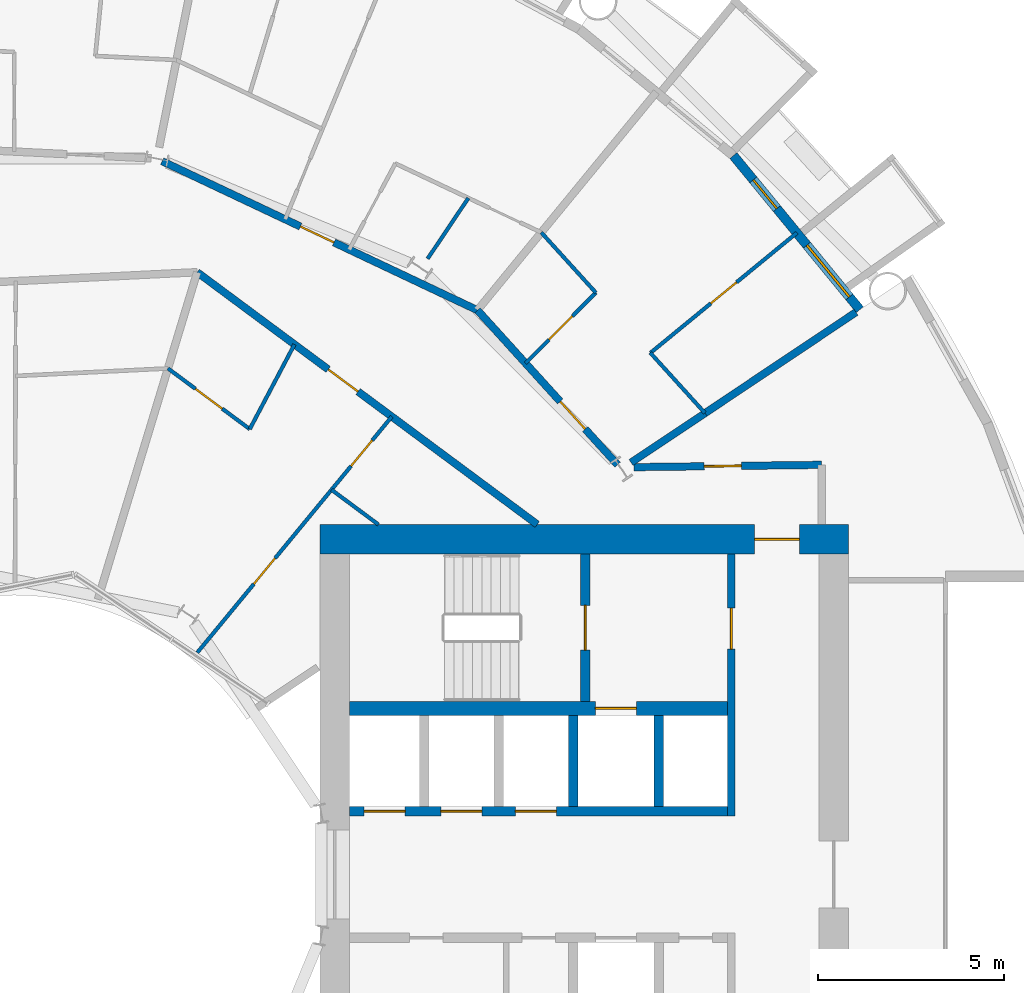
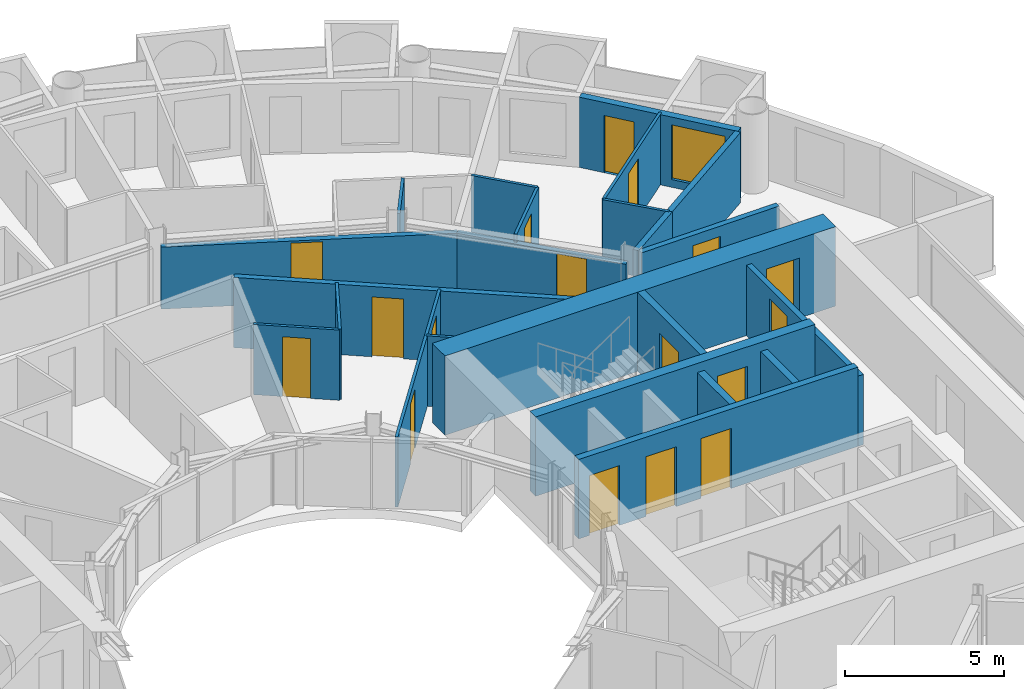
# One storey, part 21 of 26: 23 walls, 17 doors, 1 window, 18 openings.
"""IFC4 building model written with IfcOpenShell, lengths in metres."""

from ifc_helpers import new_model, si_unit, direction, frame, frame_2d, origin, place, context, subcontext, project, spatial, rectangle, extrude, material, layer, layer_set, type_object, element, fill, save


model = new_model("IFC4")

# Units and contexts
model_context = context("Model", 3, precision=1e-05, world=origin(), true_north=direction((0.0, 1.0)))
body_context = subcontext(model_context, "Body", "Model", "MODEL_VIEW")
ifc_project = project(units=[si_unit("LENGTHUNIT", "METRE"), si_unit("AREAUNIT", "SQUARE_METRE"), si_unit("VOLUMEUNIT", "CUBIC_METRE"), si_unit("PLANEANGLEUNIT", "RADIAN"), si_unit("MASSUNIT", "GRAM", prefix="KILO")], contexts=[model_context])

# Site, building, storey
site_placement = place(None, origin())
site = spatial("IfcSite", under=ifc_project, at=site_placement, CompositionType="ELEMENT")
building_placement = place(site_placement, origin())
building = spatial("IfcBuilding", under=site, at=building_placement, Name="Maasbend Ring Residences", CompositionType="ELEMENT")
storey_placement = place(building_placement, frame((0.0, 0.0, 44.14990234375)))
storey = spatial("IfcBuildingStorey", under=building, at=storey_placement, Name="L12", CompositionType="ELEMENT", Elevation=44.14990234375)

# Wall, openings, doors
ifc_material_1 = material(Name="Concrete C70/85", Category="concrete")
ifc_layer_1 = layer(ifc_material_1, 0.25)
ifc_layer_set_1 = layer_set([ifc_layer_1], Name="Concrete C70/85")
wall_type_1 = type_object("IfcWallType", Name="CORE WALL 250 C70/85", PredefinedType="SHEAR", material=ifc_layer_set_1)
wall_1_placement = place(storey_placement, frame((9.0, 1.699951171875, 0.0), z_axis=(0.0, 0.0, 1.0), x_axis=(1.0, 0.0, 0.0)))
wall_1 = element("IfcWall", 1, at=wall_1_placement, inside=storey, type_object=wall_type_1, Name="L12 core E wall SPN", PredefinedType="SHEAR", context=body_context, shape_type="SweptSolid", body=[
    extrude(rectangle(XDim=10.14990234375, YDim=0.25, at=frame_2d((5.074951171875, 0.0))), origin(), (0.0, 0.0, 1.0), 3.050048828125),
])
opening_1_placement = place(wall_1_placement, frame((0.387451171875, 0.0, 0.0)))
opening_1 = element("IfcOpeningElement", 2, at=opening_1_placement, cuts=wall_1, Name="Opening LD-E1201", PredefinedType="OPENING", context=body_context, shape_type="SweptSolid", body=[
    extrude(rectangle(XDim=1.10009765625, YDim=2.300048828125, at=frame_2d((0.550048828125, 1.14990234375))), frame((0.0, 0.135009765625, 0.0), z_axis=(0.0, -1.0, 0.0), x_axis=(1.0, 0.0, 0.0)), (0.0, 0.0, 1.0), 0.27001953125),
])
opening_2_placement = place(wall_1_placement, frame((2.449951171875, 0.0, 0.0)))
opening_2 = element("IfcOpeningElement", 3, at=opening_2_placement, cuts=wall_1, Name="Opening LD-E1202", PredefinedType="OPENING", context=body_context, shape_type="SweptSolid", body=[
    extrude(rectangle(XDim=1.10009765625, YDim=2.300048828125, at=frame_2d((0.550048828125, 1.14990234375))), frame((0.0, 0.135009765625, 0.0), z_axis=(0.0, -1.0, 0.0), x_axis=(1.0, 0.0, 0.0)), (0.0, 0.0, 1.0), 0.27001953125),
])
opening_3_placement = place(wall_1_placement, frame((4.449951171875, 0.0, 0.0)))
opening_3 = element("IfcOpeningElement", 4, at=opening_3_placement, cuts=wall_1, Name="Opening LD-E1203", PredefinedType="OPENING", context=body_context, shape_type="SweptSolid", body=[
    extrude(rectangle(XDim=1.10009765625, YDim=2.300048828125, at=frame_2d((0.550048828125, 1.14990234375))), frame((0.0, 0.135009765625, 0.0), z_axis=(0.0, -1.0, 0.0), x_axis=(1.0, 0.0, 0.0)), (0.0, 0.0, 1.0), 0.27001953125),
])
ifc_material_2 = material(Name="Stainless steel 316", Category="steel")
door_type_1 = type_object("IfcDoorType", Name="LANDING DOOR 1100 X 2300 FD60", OperationType="DOUBLE_DOOR_SLIDING", PredefinedType="DOOR", material=ifc_material_2)
door_1_placement = place(opening_1_placement, origin())
door_1 = element("IfcDoor", 5, at=door_1_placement, inside=storey, type_object=door_type_1, Name="Landing door LR-E1 L12", OperationType="DOUBLE_DOOR_SLIDING", OverallHeight=2.300048828125, OverallWidth=1.10009765625, PredefinedType="DOOR", context=body_context, shape_type="SweptSolid", body=[
    extrude(rectangle(XDim=1.10009765625, YDim=2.300048828125, at=frame_2d((0.550048828125, 1.14990234375))), frame((0.0, 0.02490234375, 0.0), z_axis=(0.0, -1.0, 0.0), x_axis=(1.0, 0.0, 0.0)), (0.0, 0.0, 1.0), 0.050048828125),
])
fill(opening_1, door_1)
door_2_placement = place(opening_2_placement, origin())
door_2 = element("IfcDoor", 6, at=door_2_placement, inside=storey, type_object=door_type_1, Name="Landing door LR-E2 L12", OperationType="DOUBLE_DOOR_SLIDING", OverallHeight=2.300048828125, OverallWidth=1.10009765625, PredefinedType="DOOR", context=body_context, shape_type="SweptSolid", body=[
    extrude(rectangle(XDim=1.10009765625, YDim=2.300048828125, at=frame_2d((0.550048828125, 1.14990234375))), frame((0.0, 0.02490234375, 0.0), z_axis=(0.0, -1.0, 0.0), x_axis=(1.0, 0.0, 0.0)), (0.0, 0.0, 1.0), 0.050048828125),
])
fill(opening_2, door_2)
door_3_placement = place(opening_3_placement, origin())
door_3 = element("IfcDoor", 7, at=door_3_placement, inside=storey, type_object=door_type_1, Name="Landing door LR-E3 L12", OperationType="DOUBLE_DOOR_SLIDING", OverallHeight=2.300048828125, OverallWidth=1.10009765625, PredefinedType="DOOR", context=body_context, shape_type="SweptSolid", body=[
    extrude(rectangle(XDim=1.10009765625, YDim=2.300048828125, at=frame_2d((0.550048828125, 1.14990234375))), frame((0.0, 0.02490234375, 0.0), z_axis=(0.0, -1.0, 0.0), x_axis=(1.0, 0.0, 0.0)), (0.0, 0.0, 1.0), 0.050048828125),
])
fill(opening_3, door_3)

# Wall, opening, door
wall_2_placement = place(storey_placement, frame((15.324951171875, 4.64990234375, 0.0), z_axis=(0.0, 0.0, 1.0), x_axis=(0.0, 1.0, 0.0)))
wall_2 = element("IfcWall", 8, at=wall_2_placement, inside=storey, type_object=wall_type_1, Name="L12 core E wall STEN", PredefinedType="SHEAR", context=body_context, shape_type="SweptSolid", body=[
    extrude(rectangle(XDim=3.9501953125, YDim=0.25, at=frame_2d((1.97509765625, 0.0))), origin(), (0.0, 0.0, 1.0), 3.050048828125),
])
opening_4_placement = place(wall_2_placement, frame((1.375, 0.0, 0.0)))
opening_4 = element("IfcOpeningElement", 9, at=opening_4_placement, cuts=wall_2, Name="Opening D-E1210", PredefinedType="OPENING", context=body_context, shape_type="SweptSolid", body=[
    extrude(rectangle(XDim=1.199951171875, YDim=2.300048828125, at=frame_2d((0.60009765625, 1.14990234375))), frame((0.0, 0.135009765625, 0.0), z_axis=(0.0, -1.0, 0.0), x_axis=(1.0, 0.0, 0.0)), (0.0, 0.0, 1.0), 0.27001953125),
])
ifc_material_3 = material(Name="Steel, powder coated", Category="steel")
door_type_2 = type_object("IfcDoorType", Name="STAIR DOOR 1200 X 2300 FD60", OperationType="NOTDEFINED", PredefinedType="DOOR", material=ifc_material_3)
door_4_placement = place(opening_4_placement, origin())
door_4 = element("IfcDoor", 10, at=door_4_placement, inside=storey, type_object=door_type_2, Name="Stair door ST-E L12", OperationType="SINGLE_SWING_LEFT", OverallHeight=2.300048828125, OverallWidth=1.199951171875, PredefinedType="DOOR", context=body_context, shape_type="SweptSolid", body=[
    extrude(rectangle(XDim=1.199951171875, YDim=2.300048828125, at=frame_2d((0.60009765625, 1.14990234375))), frame((0.0, 0.02490234375, 0.0), z_axis=(0.0, -1.0, 0.0), x_axis=(1.0, 0.0, 0.0)), (0.0, 0.0, 1.0), 0.050048828125),
])
fill(opening_4, door_4)

ifc_material_4 = material(Name="Concrete C70/85", Category="concrete")
ifc_layer_2 = layer(ifc_material_4, 0.375)
ifc_layer_set_2 = layer_set([ifc_layer_2], Name="Concrete C70/85")
wall_type_2 = type_object("IfcWallType", Name="CORE WALL 375 C70/85", PredefinedType="SHEAR", material=ifc_layer_set_2)
wall_3_placement = place(storey_placement, frame((9.0, 4.46240234375, 0.0), z_axis=(0.0, 0.0, 1.0), x_axis=(1.0, 0.0, 0.0)))
wall_3 = element("IfcWall", 11, at=wall_3_placement, inside=storey, type_object=wall_type_2, Name="L12 core E wall BN", PredefinedType="SHEAR", context=body_context, shape_type="SweptSolid", body=[
    extrude(rectangle(XDim=10.14990234375, YDim=0.375, at=frame_2d((5.074951171875, 0.0))), origin(), (0.0, 0.0, 1.0), 3.050048828125),
])
opening_5_placement = place(wall_3_placement, frame((6.60009765625, 0.0, 0.0)))
opening_5 = element("IfcOpeningElement", 12, at=opening_5_placement, cuts=wall_3, Name="Opening LD-E1204", PredefinedType="OPENING", context=body_context, shape_type="SweptSolid", body=[
    extrude(rectangle(XDim=1.10009765625, YDim=2.300048828125, at=frame_2d((0.550048828125, 1.14990234375))), frame((0.0, 0.197509765625, 0.0), z_axis=(0.0, -1.0, 0.0), x_axis=(1.0, 0.0, 0.0)), (0.0, 0.0, 1.0), 0.39501953125),
])
door_5_placement = place(opening_5_placement, origin())
door_5 = element("IfcDoor", 13, at=door_5_placement, inside=storey, type_object=door_type_1, Name="Landing door FF-E L12", OperationType="DOUBLE_DOOR_SLIDING", OverallHeight=2.300048828125, OverallWidth=1.10009765625, PredefinedType="DOOR", context=body_context, shape_type="SweptSolid", body=[
    extrude(rectangle(XDim=1.10009765625, YDim=2.300048828125, at=frame_2d((0.550048828125, 1.14990234375))), frame((0.0, 0.02490234375, 0.0), z_axis=(0.0, -1.0, 0.0), x_axis=(1.0, 0.0, 0.0)), (0.0, 0.0, 1.0), 0.050048828125),
])
fill(opening_5, door_5)

ifc_material_5 = material(Name="Concrete C70/85", Category="concrete")
ifc_layer_3 = layer(ifc_material_5, 0.800048828125)
ifc_layer_set_3 = layer_set([ifc_layer_3], Name="Concrete C70/85")
wall_type_3 = type_object("IfcWallType", Name="CORE WALL 800 C70/85", PredefinedType="SHEAR", material=ifc_layer_set_3)
wall_4_placement = place(storey_placement, frame((22.39990234375, 9.0, 0.0), z_axis=(0.0, 0.0, 1.0), x_axis=(-1.0, 0.0, 0.0)))
wall_4 = element("IfcWall", 14, at=wall_4_placement, inside=storey, type_object=wall_type_3, Name="L12 core E wall PN", PredefinedType="SHEAR", context=body_context, shape_type="SweptSolid", body=[
    extrude(rectangle(XDim=14.199951171875, YDim=0.800048828125, at=frame_2d((7.10009765625, 0.0))), origin(), (0.0, 0.0, 1.0), 3.050048828125),
])
opening_6_placement = place(wall_4_placement, frame((1.324951171875, 0.0, 0.0)))
opening_6 = element("IfcOpeningElement", 15, at=opening_6_placement, cuts=wall_4, Name="Opening D-E1214", PredefinedType="OPENING", context=body_context, shape_type="SweptSolid", body=[
    extrude(rectangle(XDim=1.199951171875, YDim=2.300048828125, at=frame_2d((0.60009765625, 1.14990234375))), frame((0.0, 0.41015625, 0.0), z_axis=(0.0, -1.0, 0.0), x_axis=(1.0, 0.0, 0.0)), (0.0, 0.0, 1.0), 0.820068359375),
])
ifc_material_6 = material(Name="Steel, powder coated", Category="steel")
door_type_3 = type_object("IfcDoorType", Name="CORRIDOR DOOR 1200 X 2300 FD30S", OperationType="NOTDEFINED", PredefinedType="DOOR", material=ifc_material_6)
door_6_placement = place(opening_6_placement, origin())
door_6 = element("IfcDoor", 16, at=door_6_placement, inside=storey, type_object=door_type_3, Name="Corridor door L12", OperationType="SINGLE_SWING_RIGHT", OverallHeight=2.300048828125, OverallWidth=1.199951171875, PredefinedType="DOOR", context=body_context, shape_type="SweptSolid", body=[
    extrude(rectangle(XDim=1.199951171875, YDim=2.300048828125, at=frame_2d((0.60009765625, 1.14990234375))), frame((0.0, 0.02490234375, 0.0), z_axis=(0.0, -1.0, 0.0), x_axis=(1.0, 0.0, 0.0)), (0.0, 0.0, 1.0), 0.050048828125),
])
fill(opening_6, door_6)

ifc_material_7 = material(Name="Concrete C30/37", Category="concrete")
ifc_layer_4 = layer(ifc_material_7, 0.199951171875)
ifc_layer_set_4 = layer_set([ifc_layer_4], Name="Concrete C30/37")
wall_type_4 = type_object("IfcWallType", Name="CORRIDOR WALL 200 CONCRETE", PredefinedType="PARTITIONING", material=ifc_layer_set_4)
wall_5_placement = place(storey_placement, frame((16.636962890625, 10.93798828125, 0.0), z_axis=(0.0, 0.0, 1.0), x_axis=(0.99992425795, 0.012307654658, 0.0)))
wall_5 = element("IfcWall", 17, at=wall_5_placement, inside=storey, type_object=wall_type_4, Name="U-L12-w096", PredefinedType="PARTITIONING", context=body_context, shape_type="SweptSolid", body=[
    extrude(rectangle(XDim=5.03857421875, YDim=0.199951171875, at=frame_2d((2.519287109375, 0.0))), origin(), (0.0, 0.0, 1.0), 2.7001953125),
])
opening_7_placement = place(wall_5_placement, frame((1.884033203125, 0.0, 0.0)))
opening_7 = element("IfcOpeningElement", 18, at=opening_7_placement, cuts=wall_5, Name="Opening D-1272", PredefinedType="OPENING", context=body_context, shape_type="SweptSolid", body=[
    extrude(rectangle(XDim=1.0, YDim=2.300048828125, at=frame_2d((0.5, 1.14990234375))), frame((0.0, 0.10986328125, 0.0), z_axis=(0.0, -1.0, 0.0), x_axis=(1.0, 0.0, 0.0)), (0.0, 0.0, 1.0), 0.219970703125),
])
ifc_material_8 = material(Name="Timber, painted", Category="wood")
door_type_4 = type_object("IfcDoorType", Name="ROOM DOOR 1000 X 2300", OperationType="NOTDEFINED", PredefinedType="DOOR", material=ifc_material_8)
door_7_placement = place(opening_7_placement, origin())
door_7 = element("IfcDoor", 19, at=door_7_placement, inside=storey, type_object=door_type_4, Name="D-1272", OperationType="SINGLE_SWING_LEFT", OverallHeight=2.300048828125, OverallWidth=1.0, PredefinedType="DOOR", context=body_context, shape_type="SweptSolid", body=[
    extrude(rectangle(XDim=1.0, YDim=2.300048828125, at=frame_2d((0.5, 1.14990234375))), frame((0.0, 0.02490234375, 0.0), z_axis=(0.0, -1.0, 0.0), x_axis=(1.0, 0.0, 0.0)), (0.0, 0.0, 1.0), 0.050048828125),
])
fill(opening_7, door_7)

wall_6_placement = place(storey_placement, frame((4.906005859375, 16.172119140625, 0.0), z_axis=(0.0, 0.0, 1.0), x_axis=(0.803202106898, -0.595706618626, 0.0)))
wall_6 = element("IfcWall", 20, at=wall_6_placement, inside=storey, type_object=wall_type_4, Name="U-L12-w104", PredefinedType="PARTITIONING", context=body_context, shape_type="SweptSolid", body=[
    extrude(rectangle(XDim=11.368408203125, YDim=0.199951171875, at=frame_2d((5.68408203125, 0.0))), origin(), (0.0, 0.0, 1.0), 2.7001953125),
])
opening_8_placement = place(wall_6_placement, frame((4.3798828125, 0.0, 0.0)))
opening_8 = element("IfcOpeningElement", 21, at=opening_8_placement, cuts=wall_6, Name="Opening D-1223", PredefinedType="OPENING", context=body_context, shape_type="SweptSolid", body=[
    extrude(rectangle(XDim=1.0, YDim=2.300048828125, at=frame_2d((0.5, 1.14990234375))), frame((0.0, 0.10986328125, 0.0), z_axis=(0.0, -1.0, 0.0), x_axis=(1.0, 0.0, 0.0)), (0.0, 0.0, 1.0), 0.219970703125),
])
ifc_material_9 = material(Name="Timber, fire-rated, painted", Category="wood")
door_type_5 = type_object("IfcDoorType", Name="FLAT ENTRANCE DOOR 1000 X 2300 FIRE-RATED", OperationType="NOTDEFINED", PredefinedType="DOOR", material=ifc_material_9)
door_8_placement = place(opening_8_placement, origin())
door_8 = element("IfcDoor", 22, at=door_8_placement, inside=storey, type_object=door_type_5, Name="D-1223", OperationType="SINGLE_SWING_LEFT", OverallHeight=2.300048828125, OverallWidth=1.0, PredefinedType="DOOR", context=body_context, shape_type="SweptSolid", body=[
    extrude(rectangle(XDim=1.0, YDim=2.300048828125, at=frame_2d((0.5, 1.14990234375))), frame((0.0, 0.02490234375, 0.0), z_axis=(0.0, -1.0, 0.0), x_axis=(1.0, 0.0, 0.0)), (0.0, 0.0, 1.0), 0.050048828125),
])
fill(opening_8, door_8)

wall_7_placement = place(storey_placement, frame((3.966064453125, 19.154052734375, 0.0), z_axis=(0.0, 0.0, 1.0), x_axis=(0.904067688688, -0.427389300603, 0.0)))
wall_7 = element("IfcWall", 23, at=wall_7_placement, inside=storey, type_object=wall_type_4, Name="U-L12-w107", PredefinedType="PARTITIONING", context=body_context, shape_type="SweptSolid", body=[
    extrude(rectangle(XDim=9.366455078125, YDim=0.199951171875, at=frame_2d((4.68310546875, 0.0))), origin(), (0.0, 0.0, 1.0), 2.380126953125),
])
opening_9_placement = place(wall_7_placement, frame((4.10400390625, 0.0, 0.0)))
opening_9 = element("IfcOpeningElement", 24, at=opening_9_placement, cuts=wall_7, Name="Opening D-1204", PredefinedType="OPENING", context=body_context, shape_type="SweptSolid", body=[
    extrude(rectangle(XDim=1.0, YDim=2.300048828125, at=frame_2d((0.5, 1.14990234375))), frame((0.0, 0.10986328125, 0.0), z_axis=(0.0, -1.0, 0.0), x_axis=(1.0, 0.0, 0.0)), (0.0, 0.0, 1.0), 0.219970703125),
])
door_9_placement = place(opening_9_placement, origin())
door_9 = element("IfcDoor", 25, at=door_9_placement, inside=storey, type_object=door_type_5, Name="D-1204", OperationType="SINGLE_SWING_LEFT", OverallHeight=2.300048828125, OverallWidth=1.0, PredefinedType="DOOR", context=body_context, shape_type="SweptSolid", body=[
    extrude(rectangle(XDim=1.0, YDim=2.300048828125, at=frame_2d((0.5, 1.14990234375))), frame((0.0, 0.02490234375, 0.0), z_axis=(0.0, -1.0, 0.0), x_axis=(1.0, 0.0, 0.0)), (0.0, 0.0, 1.0), 0.050048828125),
])
fill(opening_9, door_9)

wall_8_placement = place(storey_placement, frame((12.43408203125, 15.15087890625, 0.0), z_axis=(0.0, 0.0, 1.0), x_axis=(0.671514934772, -0.740991020444, 0.0)))
wall_8 = element("IfcWall", 26, at=wall_8_placement, inside=storey, type_object=wall_type_4, Name="U-L12-w110", PredefinedType="PARTITIONING", context=body_context, shape_type="SweptSolid", body=[
    extrude(rectangle(XDim=5.597900390625, YDim=0.199951171875, at=frame_2d((2.798828125, 0.0))), origin(), (0.0, 0.0, 1.0), 2.380126953125),
])
opening_10_placement = place(wall_8_placement, frame((3.304931640625, 0.0, 0.0)))
opening_10 = element("IfcOpeningElement", 27, at=opening_10_placement, cuts=wall_8, Name="Opening D-1201", PredefinedType="OPENING", context=body_context, shape_type="SweptSolid", body=[
    extrude(rectangle(XDim=1.0, YDim=2.300048828125, at=frame_2d((0.5, 1.14990234375))), frame((0.0, 0.10986328125, 0.0), z_axis=(0.0, -1.0, 0.0), x_axis=(1.0, 0.0, 0.0)), (0.0, 0.0, 1.0), 0.219970703125),
])
door_10_placement = place(opening_10_placement, origin())
door_10 = element("IfcDoor", 28, at=door_10_placement, inside=storey, type_object=door_type_5, Name="D-1201", OperationType="SINGLE_SWING_RIGHT", OverallHeight=2.300048828125, OverallWidth=1.0, PredefinedType="DOOR", context=body_context, shape_type="SweptSolid", body=[
    extrude(rectangle(XDim=1.0, YDim=2.300048828125, at=frame_2d((0.5, 1.14990234375))), frame((0.0, 0.02490234375, 0.0), z_axis=(0.0, -1.0, 0.0), x_axis=(1.0, 0.0, 0.0)), (0.0, 0.0, 1.0), 0.050048828125),
])
fill(opening_10, door_10)

# Wall, openings, door, window
ifc_material_10 = material(Name="Aluminium clad insulated panel", Category="aluminium")
ifc_layer_5 = layer(ifc_material_10, 0.25)
ifc_layer_set_5 = layer_set([ifc_layer_5], Name="EW-GL")
wall_type_5 = type_object("IfcWallType", Name="EW-GL", PredefinedType="SOLIDWALL", material=ifc_layer_set_5)
wall_9_placement = place(storey_placement, frame((22.698974609375, 15.1669921875, 0.0), z_axis=(0.0, 0.0, 1.0), x_axis=(-0.634382322723, 0.773019449054, 0.0)))
wall_9 = element("IfcWall", 29, at=wall_9_placement, inside=storey, type_object=wall_type_5, Name="External wall N01", PredefinedType="SOLIDWALL", context=body_context, shape_type="SweptSolid", body=[
    extrude(rectangle(XDim=5.351806640625, YDim=0.25, at=frame_2d((2.67578125, 0.0))), origin(), (0.0, 0.0, 1.0), 2.7001953125),
])
opening_11_placement = place(wall_9_placement, frame((0.441162109375, 0.0, 0.300048828125)))
opening_11 = element("IfcOpeningElement", 30, at=opening_11_placement, cuts=wall_9, Name="Opening W-BX", PredefinedType="OPENING", context=body_context, shape_type="SweptSolid", body=[
    extrude(rectangle(XDim=1.800048828125, YDim=2.10009765625, at=frame_2d((0.89990234375, 1.050048828125))), frame((0.0, 0.135009765625, 0.0), z_axis=(0.0, -1.0, 0.0), x_axis=(1.0, 0.0, 0.0)), (0.0, 0.0, 1.0), 0.27001953125),
])
opening_12_placement = place(wall_9_placement, frame((3.510498046875, 0.0, 0.0)))
opening_12 = element("IfcOpeningElement", 31, at=opening_12_placement, cuts=wall_9, Name="Opening D-LG", PredefinedType="OPENING", context=body_context, shape_type="SweptSolid", body=[
    extrude(rectangle(XDim=1.0, YDim=2.199951171875, at=frame_2d((0.5, 1.10009765625))), frame((0.0, 0.135009765625, 0.0), z_axis=(0.0, -1.0, 0.0), x_axis=(1.0, 0.0, 0.0)), (0.0, 0.0, 1.0), 0.27001953125),
])
ifc_material_11 = material(Name="Aluminium and clear glass", Category="aluminium")
door_type_6 = type_object("IfcDoorType", Name="D-LG", OperationType="SINGLE_SWING_LEFT", PredefinedType="DOOR", material=ifc_material_11)
door_11_placement = place(opening_12_placement, origin())
door_11 = element("IfcDoor", 32, at=door_11_placement, inside=storey, type_object=door_type_6, Name="Loggia door N02", OperationType="SINGLE_SWING_LEFT", OverallHeight=2.199951171875, OverallWidth=1.0, PredefinedType="DOOR", context=body_context, shape_type="SweptSolid", body=[
    extrude(rectangle(XDim=1.0, YDim=2.199951171875, at=frame_2d((0.5, 1.10009765625))), frame((0.0, 0.02490234375, 0.0), z_axis=(0.0, -1.0, 0.0), x_axis=(1.0, 0.0, 0.0)), (0.0, 0.0, 1.0), 0.050048828125),
])
fill(opening_12, door_11)
ifc_material_12 = material(Name="Aluminium and clear glass", Category="aluminium")
window_type = type_object("IfcWindowType", Name="W-BX", PartitioningType="DOUBLE_PANEL_VERTICAL", PredefinedType="WINDOW", material=ifc_material_12)
window_placement = place(opening_11_placement, origin())
window = element("IfcWindow", 33, at=window_placement, inside=storey, type_object=window_type, Name="Window N01 room to box", OverallHeight=2.10009765625, OverallWidth=1.800048828125, PartitioningType="SINGLE_PANEL", PredefinedType="WINDOW", context=body_context, shape_type="SweptSolid", body=[
    extrude(rectangle(XDim=1.800048828125, YDim=2.10009765625, at=frame_2d((0.89990234375, 1.050048828125))), frame((0.0, 0.030029296875, 0.0), z_axis=(0.0, -1.0, 0.0), x_axis=(1.0, 0.0, 0.0)), (0.0, 0.0, 1.0), 0.06005859375),
])
fill(opening_11, window)

# Wall, openings, doors
ifc_material_13 = material(Name="Gypsum board on steel studs", Category="steel")
ifc_layer_6 = layer(ifc_material_13, 0.10009765625)
ifc_layer_set_6 = layer_set([ifc_layer_6], Name="PARTITION 100 GYPSUM")
wall_type_6 = type_object("IfcWallType", Name="PARTITION 100 GYPSUM", PredefinedType="PARTITIONING", material=ifc_layer_set_6)
wall_10_placement = place(storey_placement, frame((4.908935546875, 5.9580078125, 0.0), z_axis=(0.0, 0.0, 1.0), x_axis=(0.635976043025, 0.771708800454, 0.0)))
wall_10 = element("IfcWall", 34, at=wall_10_placement, inside=storey, type_object=wall_type_6, Name="U-L12-w073", PredefinedType="PARTITIONING", context=body_context, shape_type="SweptSolid", body=[
    extrude(rectangle(XDim=8.212890625, YDim=0.10009765625, at=frame_2d((4.1064453125, 0.0))), origin(), (0.0, 0.0, 1.0), 2.7001953125),
])
opening_13_placement = place(wall_10_placement, frame((6.489990234375, 0.0, 0.0)))
opening_13 = element("IfcOpeningElement", 35, at=opening_13_placement, cuts=wall_10, Name="Opening D-1225", PredefinedType="OPENING", context=body_context, shape_type="SweptSolid", body=[
    extrude(rectangle(XDim=0.89990234375, YDim=2.300048828125, at=frame_2d((0.449951171875, 1.14990234375))), frame((0.0, 0.06005859375, 0.0), z_axis=(0.0, -1.0, 0.0), x_axis=(1.0, 0.0, 0.0)), (0.0, 0.0, 1.0), 0.1201171875),
])
opening_14_placement = place(wall_10_placement, frame((2.384033203125, 0.0, 0.0)))
opening_14 = element("IfcOpeningElement", 36, at=opening_14_placement, cuts=wall_10, Name="Opening D-1226", PredefinedType="OPENING", context=body_context, shape_type="SweptSolid", body=[
    extrude(rectangle(XDim=0.89990234375, YDim=2.300048828125, at=frame_2d((0.449951171875, 1.14990234375))), frame((0.0, 0.06005859375, 0.0), z_axis=(0.0, -1.0, 0.0), x_axis=(1.0, 0.0, 0.0)), (0.0, 0.0, 1.0), 0.1201171875),
])
ifc_material_14 = material(Name="Timber, painted", Category="wood")
door_type_7 = type_object("IfcDoorType", Name="INTERNAL DOOR 900 X 2300", OperationType="NOTDEFINED", PredefinedType="DOOR", material=ifc_material_14)
door_12_placement = place(opening_13_placement, origin())
door_12 = element("IfcDoor", 37, at=door_12_placement, inside=storey, type_object=door_type_7, Name="D-1225", OperationType="SINGLE_SWING_RIGHT", OverallHeight=2.300048828125, OverallWidth=0.89990234375, PredefinedType="DOOR", context=body_context, shape_type="SweptSolid", body=[
    extrude(rectangle(XDim=0.89990234375, YDim=2.300048828125, at=frame_2d((0.449951171875, 1.14990234375))), frame((0.0, 0.02490234375, 0.0), z_axis=(0.0, -1.0, 0.0), x_axis=(1.0, 0.0, 0.0)), (0.0, 0.0, 1.0), 0.050048828125),
])
fill(opening_13, door_12)
door_13_placement = place(opening_14_placement, origin())
door_13 = element("IfcDoor", 38, at=door_13_placement, inside=storey, type_object=door_type_7, Name="D-1226", OperationType="SINGLE_SWING_LEFT", OverallHeight=2.300048828125, OverallWidth=0.89990234375, PredefinedType="DOOR", context=body_context, shape_type="SweptSolid", body=[
    extrude(rectangle(XDim=0.89990234375, YDim=2.300048828125, at=frame_2d((0.449951171875, 1.14990234375))), frame((0.0, 0.02490234375, 0.0), z_axis=(0.0, -1.0, 0.0), x_axis=(1.0, 0.0, 0.0)), (0.0, 0.0, 1.0), 0.050048828125),
])
fill(opening_14, door_13)

# Walls
wall_11_placement = place(storey_placement, frame((6.318115234375, 11.9599609375, 0.0), z_axis=(0.0, 0.0, 1.0), x_axis=(0.467001992543, 0.884256263173, 0.0)))
element("IfcWall", 39, at=wall_11_placement, inside=storey, type_object=wall_type_6, Name="U-L12-w076", PredefinedType="PARTITIONING", context=body_context, shape_type="SweptSolid", body=[
    extrude(rectangle(XDim=2.571533203125, YDim=0.10009765625, at=frame_2d((1.28564453125, 0.0))), origin(), (0.0, 0.0, 1.0), 2.7001953125),
])
wall_12_placement = place(storey_placement, frame((11.093017578125, 16.532958984375, 0.0), z_axis=(0.0, 0.0, 1.0), x_axis=(0.557134474719, 0.830422288405, 0.0)))
element("IfcWall", 40, at=wall_12_placement, inside=storey, type_object=wall_type_6, Name="U-L12-w083", PredefinedType="PARTITIONING", context=body_context, shape_type="SweptSolid", body=[
    extrude(rectangle(XDim=1.96533203125, YDim=0.10009765625, at=frame_2d((0.982666015625, 0.0))), origin(), (0.0, 0.0, 1.0), 2.7001953125),
])

# Wall, opening, door
wall_13_placement = place(storey_placement, frame((13.721923828125, 13.72998046875, 0.0), z_axis=(0.0, 0.0, 1.0), x_axis=(0.706741540154, 0.707471833659, 0.0)))
wall_13 = element("IfcWall", 41, at=wall_13_placement, inside=storey, type_object=wall_type_6, Name="U-L12-w087", PredefinedType="PARTITIONING", context=body_context, shape_type="SweptSolid", body=[
    extrude(rectangle(XDim=2.67431640625, YDim=0.10009765625, at=frame_2d((1.337158203125, 0.0))), origin(), (0.0, 0.0, 1.0), 2.7001953125),
])
opening_15_placement = place(wall_13_placement, frame((0.886962890625, 0.0, 0.0)))
opening_15 = element("IfcOpeningElement", 42, at=opening_15_placement, cuts=wall_13, Name="Opening D-1202", PredefinedType="OPENING", context=body_context, shape_type="SweptSolid", body=[
    extrude(rectangle(XDim=0.89990234375, YDim=2.300048828125, at=frame_2d((0.449951171875, 1.14990234375))), frame((0.0, 0.06005859375, 0.0), z_axis=(0.0, -1.0, 0.0), x_axis=(1.0, 0.0, 0.0)), (0.0, 0.0, 1.0), 0.1201171875),
])
door_14_placement = place(opening_15_placement, origin())
door_14 = element("IfcDoor", 43, at=door_14_placement, inside=storey, type_object=door_type_7, Name="D-1202", OperationType="SINGLE_SWING_RIGHT", OverallHeight=2.300048828125, OverallWidth=0.89990234375, PredefinedType="DOOR", context=body_context, shape_type="SweptSolid", body=[
    extrude(rectangle(XDim=0.89990234375, YDim=2.300048828125, at=frame_2d((0.449951171875, 1.14990234375))), frame((0.0, 0.02490234375, 0.0), z_axis=(0.0, -1.0, 0.0), x_axis=(1.0, 0.0, 0.0)), (0.0, 0.0, 1.0), 0.050048828125),
])
fill(opening_15, door_14)

wall_14_placement = place(storey_placement, frame((17.076904296875, 14.006103515625, 0.0), z_axis=(0.0, 0.0, 1.0), x_axis=(0.77326214499, 0.634086472908, 0.0)))
wall_14 = element("IfcWall", 44, at=wall_14_placement, inside=storey, type_object=wall_type_6, Name="U-L12-w090", PredefinedType="PARTITIONING", context=body_context, shape_type="SweptSolid", body=[
    extrude(rectangle(XDim=5.0888671875, YDim=0.10009765625, at=frame_2d((2.54443359375, 0.0))), origin(), (0.0, 0.0, 1.0), 2.7001953125),
])
opening_16_placement = place(wall_14_placement, frame((2.093994140625, 0.0, 0.0)))
opening_16 = element("IfcOpeningElement", 45, at=opening_16_placement, cuts=wall_14, Name="Opening D-1203", PredefinedType="OPENING", context=body_context, shape_type="SweptSolid", body=[
    extrude(rectangle(XDim=0.89990234375, YDim=2.300048828125, at=frame_2d((0.449951171875, 1.14990234375))), frame((0.0, 0.06005859375, 0.0), z_axis=(0.0, -1.0, 0.0), x_axis=(1.0, 0.0, 0.0)), (0.0, 0.0, 1.0), 0.1201171875),
])
door_15_placement = place(opening_16_placement, origin())
door_15 = element("IfcDoor", 46, at=door_15_placement, inside=storey, type_object=door_type_7, Name="D-1203", OperationType="SINGLE_SWING_RIGHT", OverallHeight=2.300048828125, OverallWidth=0.89990234375, PredefinedType="DOOR", context=body_context, shape_type="SweptSolid", body=[
    extrude(rectangle(XDim=0.89990234375, YDim=2.300048828125, at=frame_2d((0.449951171875, 1.14990234375))), frame((0.0, 0.02490234375, 0.0), z_axis=(0.0, -1.0, 0.0), x_axis=(1.0, 0.0, 0.0)), (0.0, 0.0, 1.0), 0.050048828125),
])
fill(opening_16, door_15)

wall_15_placement = place(storey_placement, frame((4.1220703125, 13.589111328125, 0.0), z_axis=(0.0, 0.0, 1.0), x_axis=(0.803128348509, -0.595806055542, 0.0)))
wall_15 = element("IfcWall", 47, at=wall_15_placement, inside=storey, type_object=wall_type_6, Name="U-L12-w099", PredefinedType="PARTITIONING", context=body_context, shape_type="SweptSolid", body=[
    extrude(rectangle(XDim=2.734375, YDim=0.10009765625, at=frame_2d((1.3671875, 0.0))), origin(), (0.0, 0.0, 1.0), 2.7001953125),
])
opening_17_placement = place(wall_15_placement, frame((0.9169921875, 0.0, 0.0)))
opening_17 = element("IfcOpeningElement", 48, at=opening_17_placement, cuts=wall_15, Name="Opening D-1224", PredefinedType="OPENING", context=body_context, shape_type="SweptSolid", body=[
    extrude(rectangle(XDim=0.89990234375, YDim=2.300048828125, at=frame_2d((0.449951171875, 1.14990234375))), frame((0.0, 0.06005859375, 0.0), z_axis=(0.0, -1.0, 0.0), x_axis=(1.0, 0.0, 0.0)), (0.0, 0.0, 1.0), 0.1201171875),
])
door_16_placement = place(opening_17_placement, origin())
door_16 = element("IfcDoor", 49, at=door_16_placement, inside=storey, type_object=door_type_7, Name="D-1224", OperationType="SINGLE_SWING_LEFT", OverallHeight=2.300048828125, OverallWidth=0.89990234375, PredefinedType="DOOR", context=body_context, shape_type="SweptSolid", body=[
    extrude(rectangle(XDim=0.89990234375, YDim=2.300048828125, at=frame_2d((0.449951171875, 1.14990234375))), frame((0.0, 0.02490234375, 0.0), z_axis=(0.0, -1.0, 0.0), x_axis=(1.0, 0.0, 0.0)), (0.0, 0.0, 1.0), 0.050048828125),
])
fill(opening_17, door_16)

# Walls
wall_16_placement = place(storey_placement, frame((8.514892578125, 10.330078125, 0.0), z_axis=(0.0, 0.0, 1.0), x_axis=(0.803264156882, -0.595622946392, 0.0)))
element("IfcWall", 50, at=wall_16_placement, inside=storey, type_object=wall_type_6, Name="U-L12-w100", PredefinedType="PARTITIONING", context=body_context, shape_type="SweptSolid", body=[
    extrude(rectangle(XDim=1.56494140625, YDim=0.10009765625, at=frame_2d((0.782470703125, 0.0))), origin(), (0.0, 0.0, 1.0), 2.7001953125),
])
wall_17_placement = place(storey_placement, frame((14.14697265625, 17.238037109375, 0.0), z_axis=(0.0, 0.0, 1.0), x_axis=(0.671674967707, -0.740845960882, 0.0)))
element("IfcWall", 51, at=wall_17_placement, inside=storey, type_object=wall_type_6, Name="U-L12-w121", PredefinedType="PARTITIONING", context=body_context, shape_type="SweptSolid", body=[
    extrude(rectangle(XDim=2.18115234375, YDim=0.10009765625, at=frame_2d((1.090576171875, 0.0))), origin(), (0.0, 0.0, 1.0), 2.7001953125),
])
wall_18_placement = place(storey_placement, frame((17.072021484375, 14.010986328125, 0.0), z_axis=(0.0, 0.0, 1.0), x_axis=(0.67169789574, -0.740825172937, 0.0)))
element("IfcWall", 52, at=wall_18_placement, inside=storey, type_object=wall_type_6, Name="U-L12-w122", PredefinedType="PARTITIONING", context=body_context, shape_type="SweptSolid", body=[
    extrude(rectangle(XDim=2.1826171875, YDim=0.10009765625, at=frame_2d((1.09130859375, 0.0))), origin(), (0.0, 0.0, 1.0), 2.7001953125),
])
ifc_material_15 = material(Name="Concrete C30/37", Category="concrete")
ifc_layer_7 = layer(ifc_material_15, 0.199951171875)
ifc_layer_set_7 = layer_set([ifc_layer_7], Name="Concrete C30/37")
wall_type_7 = type_object("IfcWallType", Name="PARTY WALL 200 CONCRETE", PredefinedType="PARTITIONING", material=ifc_layer_set_7)
wall_19_placement = place(storey_placement, frame((18.5419921875, 12.388916015625, 0.0), z_axis=(0.0, 0.0, 1.0), x_axis=(0.831387096605, 0.55569370664, 0.0)))
element("IfcWall", 53, at=wall_19_placement, inside=storey, type_object=wall_type_7, Name="U-L12-w091", PredefinedType="PARTITIONING", context=body_context, shape_type="SweptSolid", body=[
    extrude(rectangle(XDim=4.875, YDim=0.199951171875, at=frame_2d((2.4375, 0.0))), origin(), (0.0, 0.0, 1.0), 2.7001953125),
])
wall_20_placement = place(storey_placement, frame((16.554931640625, 11.06103515625, 0.0), z_axis=(0.0, 0.0, 1.0), x_axis=(0.832066006555, 0.554676627176, 0.0)))
element("IfcWall", 54, at=wall_20_placement, inside=storey, type_object=wall_type_7, Name="U-L12-w092", PredefinedType="PARTITIONING", context=body_context, shape_type="SweptSolid", body=[
    extrude(rectangle(XDim=2.390380859375, YDim=0.199951171875, at=frame_2d((1.1953125, 0.0))), origin(), (0.0, 0.0, 1.0), 2.7001953125),
])

# Wall, opening, door
ifc_material_16 = material(Name="Concrete C30/37", Category="concrete")
ifc_layer_8 = layer(ifc_material_16, 0.199951171875)
ifc_layer_set_8 = layer_set([ifc_layer_8], Name="Concrete C30/37")
wall_type_8 = type_object("IfcWallType", Name="SHAFT WALL 200 EI 120", PredefinedType="SOLIDWALL", material=ifc_layer_set_8)
wall_21_placement = place(storey_placement, frame((19.25, 1.574951171875, 0.0), z_axis=(0.0, 0.0, 1.0), x_axis=(0.0, 1.0, 0.0)))
wall_21 = element("IfcWall", 55, at=wall_21_placement, inside=storey, type_object=wall_type_8, Name="L12 core E wall ENDN", PredefinedType="SOLIDWALL", context=body_context, shape_type="SweptSolid", body=[
    extrude(rectangle(XDim=7.025146484375, YDim=0.199951171875, at=frame_2d((3.5126953125, 0.0))), origin(), (0.0, 0.0, 1.0), 2.7001953125),
])
opening_18_placement = place(wall_21_placement, frame((4.47509765625, 0.0, 0.0)))
opening_18 = element("IfcOpeningElement", 56, at=opening_18_placement, cuts=wall_21, Name="Opening D-E1212", PredefinedType="OPENING", context=body_context, shape_type="SweptSolid", body=[
    extrude(rectangle(XDim=1.10009765625, YDim=2.300048828125, at=frame_2d((0.550048828125, 1.14990234375))), frame((0.0, 0.10986328125, 0.0), z_axis=(0.0, -1.0, 0.0), x_axis=(1.0, 0.0, 0.0)), (0.0, 0.0, 1.0), 0.219970703125),
])
ifc_material_17 = material(Name="Steel, powder coated", Category="steel")
door_type_8 = type_object("IfcDoorType", Name="LOBBY DOOR 1100 X 2300 FD60", OperationType="NOTDEFINED", PredefinedType="DOOR", material=ifc_material_17)
door_17_placement = place(opening_18_placement, origin())
door_17 = element("IfcDoor", 57, at=door_17_placement, inside=storey, type_object=door_type_8, Name="Lobby door L12", OperationType="SINGLE_SWING_LEFT", OverallHeight=2.300048828125, OverallWidth=1.10009765625, PredefinedType="DOOR", context=body_context, shape_type="SweptSolid", body=[
    extrude(rectangle(XDim=1.10009765625, YDim=2.300048828125, at=frame_2d((0.550048828125, 1.14990234375))), frame((0.0, 0.02490234375, 0.0), z_axis=(0.0, -1.0, 0.0), x_axis=(1.0, 0.0, 0.0)), (0.0, 0.0, 1.0), 0.050048828125),
])
fill(opening_18, door_17)

# Walls
ifc_material_18 = material(Name="Concrete C30/37", Category="concrete")
ifc_layer_9 = layer(ifc_material_18, 0.25)
ifc_layer_set_9 = layer_set([ifc_layer_9], Name="Concrete C30/37")
wall_type_9 = type_object("IfcWallType", Name="SHAFT WALL 250 EI 120", PredefinedType="SOLIDWALL", material=ifc_layer_set_9)
for number, where, z_axis, x_axis, name in (
    (58, (15.0, 1.824951171875, 0.0), (0.0, 0.0, 1.0), (0.0, 1.0, 0.0), "L12 core E wall D150N"),
    (59, (17.300048828125, 1.824951171875, 0.0), (0.0, 0.0, 1.0), (0.0, 1.0, 0.0), "L12 core E wall D173N"),
):
    element("IfcWall", number, at=place(storey_placement, frame(where, z_axis=z_axis, x_axis=x_axis)), inside=storey, type_object=wall_type_9, Name=name, PredefinedType="SOLIDWALL", context=body_context, shape_type="SweptSolid", body=[
        extrude(rectangle(XDim=2.449951171875, YDim=0.25, at=frame_2d((1.22509765625, 0.0))), origin(), (0.0, 0.0, 1.0), 2.7001953125),
    ])

save(model, "model.ifc")
